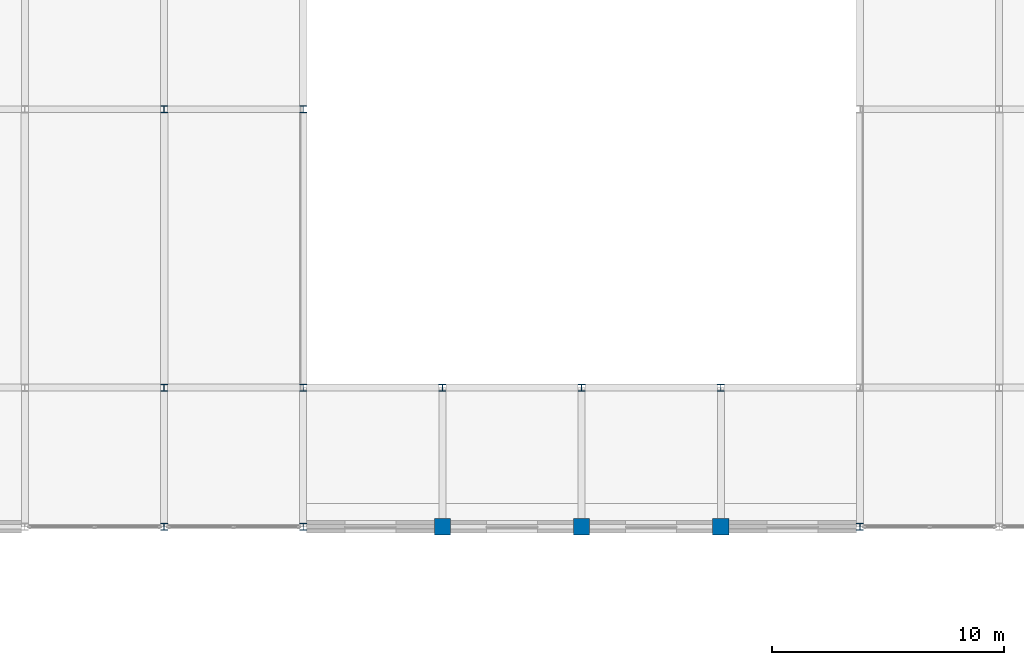
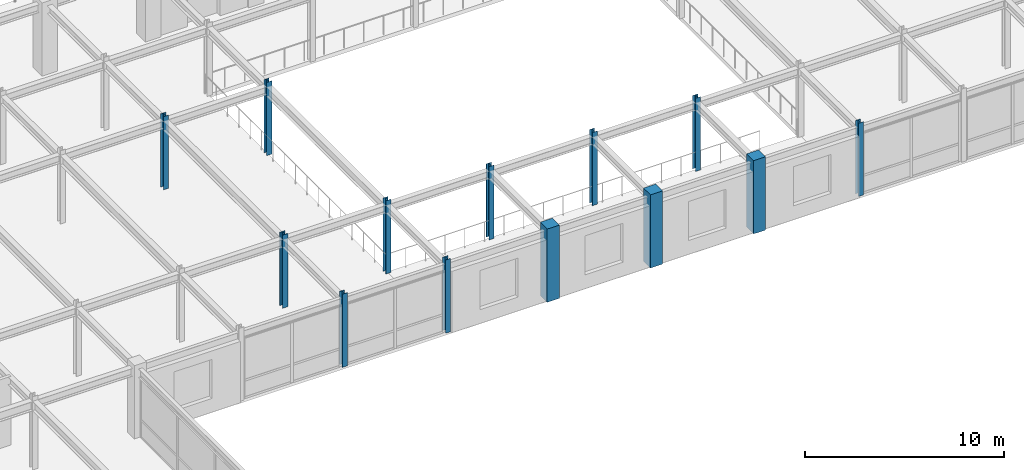
# One storey, part 6 of 108: 13 columns.
"""IFC4 building model written with IfcOpenShell, lengths in metres."""

from ifc_helpers import new_model, si_unit, direction, frame, origin, origin_2d, place, context, subcontext, project, spatial, rectangle, i_section, extrude, material, material_profile, profile_set, type_object, element, save


model = new_model("IFC4")

# Units and contexts
model_context = context("Model", 3, precision=1e-05, world=origin(), true_north=direction((0.0, 1.0)))
body_context = subcontext(model_context, "Body", "Model", "MODEL_VIEW")
ifc_project = project(units=[si_unit("LENGTHUNIT", "METRE"), si_unit("AREAUNIT", "SQUARE_METRE"), si_unit("VOLUMEUNIT", "CUBIC_METRE"), si_unit("PLANEANGLEUNIT", "RADIAN"), si_unit("MASSUNIT", "GRAM", prefix="KILO")], contexts=[model_context])

# Site, building, storey
site_placement = place(None, origin())
site = spatial("IfcSite", under=ifc_project, at=site_placement, CompositionType="ELEMENT")
building_placement = place(site_placement, origin())
building = spatial("IfcBuilding", under=site, at=building_placement, Name="Zlatovratsky Civic Hall", CompositionType="ELEMENT")
storey_placement = place(building_placement, frame((0.0, 0.0, 12.0)))
storey = spatial("IfcBuildingStorey", under=building, at=storey_placement, Name="L03", CompositionType="ELEMENT", Elevation=12.0)

# Columns
ifc_material_1 = material(Name="Concrete C35/45 (B40)", Category="concrete")
ifc_material_profile_1 = material_profile(ifc_material_1, rectangle(XDim=0.699951171875, YDim=0.699951171875, at=origin_2d()), Name="RC 700x700")
ifc_profile_set_1 = profile_set([ifc_material_profile_1], Name="Concrete C35/45 (B40)")
column_type_1 = type_object("IfcColumnType", Name="Col_CorePier_RC700", PredefinedType="COLUMN", material=ifc_profile_set_1)
for number, where, z_axis, x_axis, name in (
    (1, (78.0, 12.0, 0.0), (0.0, 0.0, 1.0), (1.0, 0.0, 0.0), "CL-1213"),
    (2, (84.0, 12.0, 0.0), (0.0, 0.0, 1.0), (1.0, 0.0, 0.0), "CL-1214"),
    (3, (90.0, 12.0, 0.0), (0.0, 0.0, 1.0), (1.0, 0.0, 0.0), "CL-1215"),
):
    element("IfcColumn", number, at=place(storey_placement, frame(where, z_axis=z_axis, x_axis=x_axis)), inside=storey, type_object=column_type_1, Name=name, PredefinedType="COLUMN", context=body_context, shape_type="SweptSolid", body=[
        extrude(rectangle(XDim=0.699951171875, YDim=0.699951171875, at=origin_2d()), origin(), (0.0, 0.0, 1.0), 4.5),
    ])
ifc_material_2 = material(Name="Steel S355", Category="steel")
ifc_material_profile_2 = material_profile(ifc_material_2, i_section(OverallWidth=0.299072265625, OverallDepth=0.2958984375, WebThickness=0.009033203125, FlangeThickness=0.013916015625, FilletRadius=0.01806640625, at=origin_2d()), Name="30K1")
ifc_profile_set_2 = profile_set([ifc_material_profile_2], Name="Steel S355")
column_type_2 = type_object("IfcColumnType", Name="Col_Steel_30K1", PredefinedType="COLUMN", material=ifc_profile_set_2)
for number, where, z_axis, x_axis, name in (
    (4, (66.0, 12.0, 0.0), (0.0, 0.0, 1.0), (1.0, 0.0, 0.0), "CL-1211"),
    (5, (72.0, 12.0, 0.0), (0.0, 0.0, 1.0), (1.0, 0.0, 0.0), "CL-1212"),
    (6, (96.0, 12.0, 0.0), (0.0, 0.0, 1.0), (1.0, 0.0, 0.0), "CL-1216"),
    (7, (66.0, 18.0, 0.0), (0.0, 0.0, 1.0), (1.0, 0.0, 0.0), "CL-1234"),
    (8, (72.0, 18.0, 0.0), (0.0, 0.0, 1.0), (1.0, 0.0, 0.0), "CL-1235"),
    (9, (78.0, 18.0, 0.0), (0.0, 0.0, 1.0), (1.0, 0.0, 0.0), "CL-1236"),
    (10, (84.0, 18.0, 0.0), (0.0, 0.0, 1.0), (1.0, 0.0, 0.0), "CL-1237"),
    (11, (90.0, 18.0, 0.0), (0.0, 0.0, 1.0), (1.0, 0.0, 0.0), "CL-1238"),
    (12, (66.0, 30.0, 0.0), (0.0, 0.0, 1.0), (1.0, 0.0, 0.0), "CL-1257"),
    (13, (72.0, 30.0, 0.0), (0.0, 0.0, 1.0), (1.0, 0.0, 0.0), "CL-1258"),
):
    element("IfcColumn", number, at=place(storey_placement, frame(where, z_axis=z_axis, x_axis=x_axis)), inside=storey, type_object=column_type_2, Name=name, PredefinedType="COLUMN", context=body_context, shape_type="SweptSolid", body=[
        extrude(i_section(OverallWidth=0.299072265625, OverallDepth=0.2958984375, WebThickness=0.009033203125, FlangeThickness=0.013916015625, FilletRadius=0.01806640625, at=origin_2d()), origin(), (0.0, 0.0, 1.0), 4.5),
    ])

save(model, "model.ifc")
